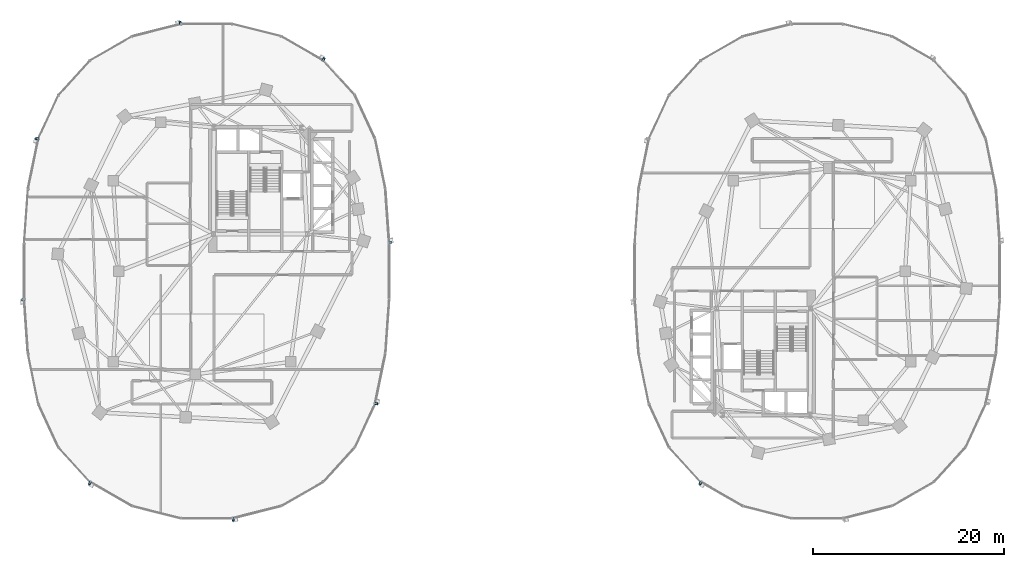
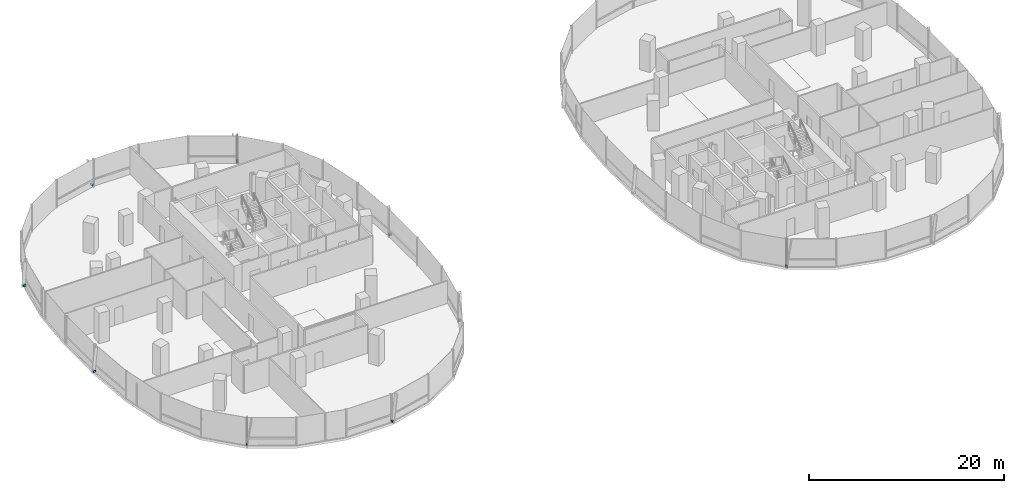
# One storey, part 15 of 21: 9 discrete accessories.
"""IFC4 building model written with IfcOpenShell, lengths in metres."""

from ifc_helpers import new_model, si_unit, direction, frame, origin, origin_2d, place, context, subcontext, project, spatial, rectangle, extrude, material, type_object, element, save


model = new_model("IFC4")

# Units and contexts
model_context = context("Model", 3, precision=1e-05, world=origin(), true_north=direction((0.0, 1.0)))
body_context = subcontext(model_context, "Body", "Model", "MODEL_VIEW")
ifc_project = project(units=[si_unit("LENGTHUNIT", "METRE"), si_unit("AREAUNIT", "SQUARE_METRE"), si_unit("VOLUMEUNIT", "CUBIC_METRE"), si_unit("PLANEANGLEUNIT", "RADIAN"), si_unit("MASSUNIT", "GRAM", prefix="KILO"), si_unit("THERMODYNAMICTEMPERATUREUNIT", "KELVIN"), si_unit("POWERUNIT", "WATT")], contexts=[model_context])

# Site, building, storey
site_placement = place(None, origin())
site = spatial("IfcSite", under=ifc_project, at=site_placement, CompositionType="ELEMENT")
building_placement = place(site_placement, origin())
building = spatial("IfcBuilding", under=site, at=building_placement, Name="Cundina Bronze Exchange", CompositionType="ELEMENT")
storey_placement = place(building_placement, frame((0.0, 0.0, 46.800048828125)))
storey = spatial("IfcBuildingStorey", under=building, at=storey_placement, Name="L11", CompositionType="ELEMENT", Elevation=46.800048828125)

# Discrete accessories
ifc_material = material(Name="Anodised Bronze Aluminium 6063-T6", Category="aluminium")
discrete_accessory_type = type_object("IfcDiscreteAccessoryType", Name="ACC-BRK-FIN", PredefinedType="BRACKET", material=ifc_material)
for number, where, z_axis, x_axis, name in (
    (1, (-12.735595703125, 2.986083984375, 0.10009765625), (0.0, 0.0, 1.0), (-0.070278787473, 0.997527389113, 0.0), "L11 Fin Support Bracket 1"),
    (2, (-19.740478515625, 22.21875, 0.10009765625), (0.0, 0.0, 1.0), (-0.867105478933, 0.498124571171, 0.0), "L11 Fin Support Bracket 5"),
    (3, (-34.76025390625, 26.03173828125, 0.10009765625), (0.0, 0.0, 1.0), (-0.969488149345, -0.245138182011, 0.0), "L11 Fin Support Bracket 1"),
    (4, (-49.788330078125, 13.8896484375, 0.10009765625), (0.0, 0.0, 1.0), (-0.201419845156, -0.979505000486, 0.0), "L11 Fin Support Bracket 5"),
    (5, (-51.264404296875, -2.986083984375, 0.10009765625), (0.0, 0.0, 1.0), (0.070278787473, -0.997527389113, 0.0), "L11 Fin Support Bracket 1"),
    (6, (-44.259521484375, -22.21875, 0.10009765625), (0.0, 0.0, 1.0), (0.867105478933, -0.498124571171, 0.0), "L11 Fin Support Bracket 5"),
    (7, (-29.23974609375, -26.03173828125, 0.10009765625), (0.0, 0.0, 1.0), (0.969488149345, 0.245138182011, 0.0), "L11 Fin Support Bracket 1"),
    (8, (-14.211669921875, -13.8896484375, 0.10009765625), (0.0, 0.0, 1.0), (0.201419845156, 0.979505000486, 0.0), "L11 Fin Support Bracket 5"),
    (9, (19.740478515625, -22.21875, 0.10009765625), (0.0, 0.0, 1.0), (0.867105478933, -0.498124571171, 0.0), "L11 Fin Support Bracket 5"),
):
    element("IfcDiscreteAccessory", number, at=place(storey_placement, frame(where, z_axis=z_axis, x_axis=x_axis)), inside=storey, type_object=discrete_accessory_type, Name=name, PredefinedType="BRACKET", context=body_context, shape_type="SweptSolid", body=[
        extrude(rectangle(XDim=0.219970703125, YDim=0.320068359375, at=origin_2d()), origin(), (0.0, 0.0, 1.0), 0.239990234375),
    ])

save(model, "model.ifc")
